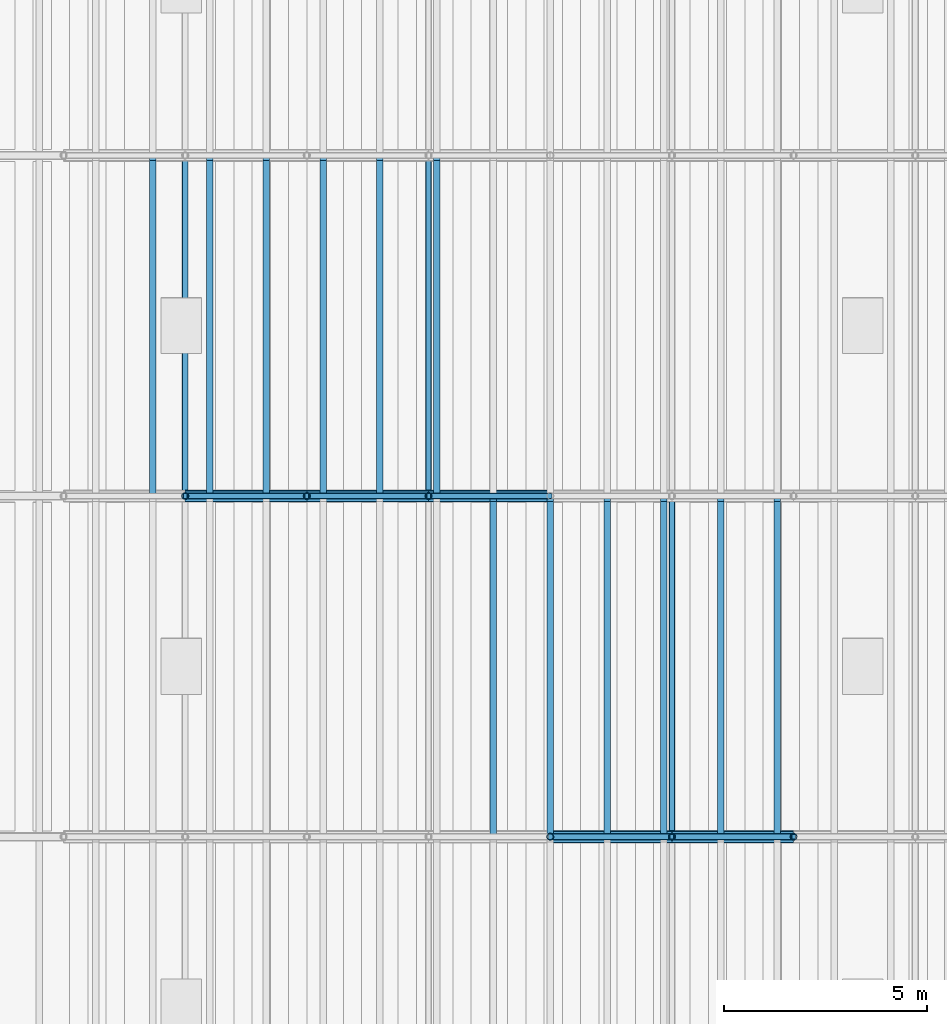
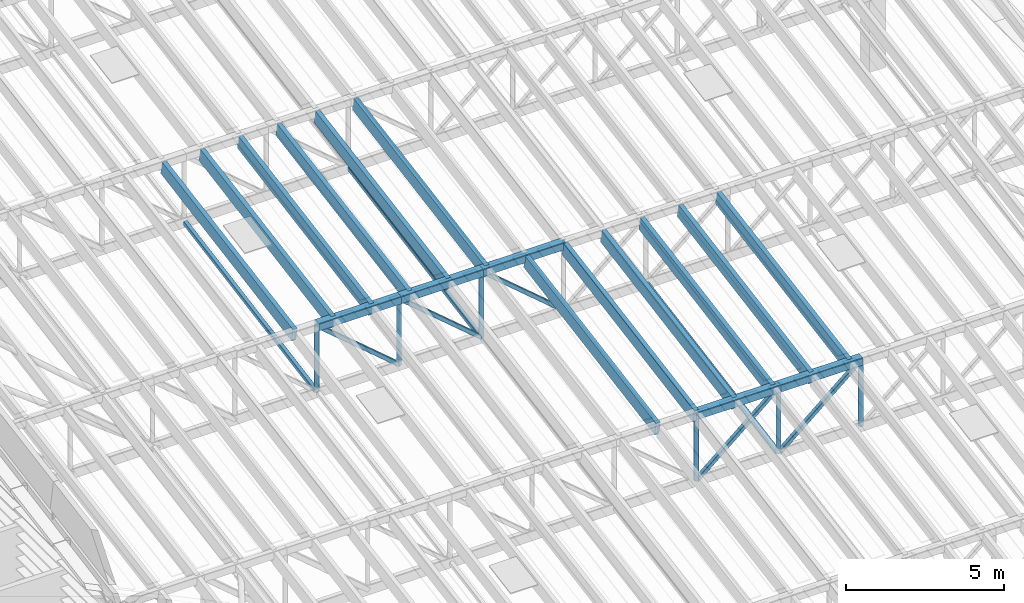
# One storey, part 18 of 91: 31 members.
"""IFC4 building model written with IfcOpenShell, lengths in metres."""

from ifc_helpers import new_model, si_unit, direction, frame, origin, origin_2d, place, context, subcontext, project, spatial, rectangle, hollow_rectangle, hollow_circle, extrude, material, material_profile, profile_set, type_object, element, save


model = new_model("IFC4")

# Units and contexts
model_context = context("Model", 3, precision=1e-05, world=origin(), true_north=direction((0.0, 1.0)))
body_context = subcontext(model_context, "Body", "Model", "MODEL_VIEW")
ifc_project = project(units=[si_unit("LENGTHUNIT", "METRE"), si_unit("AREAUNIT", "SQUARE_METRE"), si_unit("VOLUMEUNIT", "CUBIC_METRE"), si_unit("PLANEANGLEUNIT", "RADIAN"), si_unit("MASSUNIT", "GRAM", prefix="KILO")], contexts=[model_context])

# Site, building, storey
site_placement = place(None, origin())
site = spatial("IfcSite", under=ifc_project, at=site_placement, CompositionType="ELEMENT")
building_placement = place(site_placement, origin())
building = spatial("IfcBuilding", under=site, at=building_placement, Name="Almond Square Museum", CompositionType="ELEMENT")
storey_placement = place(building_placement, frame((0.0, 0.0, 30.0)))
storey = spatial("IfcBuildingStorey", under=building, at=storey_placement, Name="L05", CompositionType="ELEMENT", Elevation=30.0)

# Members
ifc_material_1 = material(Name="Glulam GL28h", Category="wood")
ifc_material_profile_1 = material_profile(ifc_material_1, rectangle(XDim=0.159912109375, YDim=0.5, at=origin_2d()))
ifc_profile_set_1 = profile_set([ifc_material_profile_1], Name="Glulam GL28h")
member_type_1 = type_object("IfcMemberType", Name="Glulam rafter GL28h 160x500", PredefinedType="RAFTER", material=ifc_profile_set_1)
for number, where, z_axis, x_axis, name in (
    (1, (126.39990234375, 67.22998046875, 9.08984375), (0.0, 0.985027509143, 0.172397233827), (-1.0, 0.0, 0.0), "Hall rafter 3.15"),
    (2, (127.800048828125, 67.22998046875, 9.08984375), (0.0, 0.985027509143, 0.172397233827), (-1.0, 0.0, 0.0), "Hall rafter 3.16"),
    (3, (129.199951171875, 67.22998046875, 9.08984375), (0.0, 0.985027509143, 0.172397233827), (-1.0, 0.0, 0.0), "Hall rafter 3.17"),
    (4, (130.60009765625, 67.22998046875, 9.08984375), (0.0, 0.985027509143, 0.172397233827), (-1.0, 0.0, 0.0), "Hall rafter 3.18"),
    (5, (132.0, 67.22998046875, 9.08984375), (0.0, 0.985027509143, 0.172397233827), (-1.0, 0.0, 0.0), "Hall rafter 3.19"),
    (6, (133.39990234375, 67.22998046875, 9.08984375), (0.0, 0.985027509143, 0.172397233827), (-1.0, 0.0, 0.0), "Hall rafter 3.20"),
    (7, (118.0, 75.6298828125, 10.559814453125), (0.0, 0.985027509143, 0.172397233827), (-1.0, 0.0, 0.0), "Hall rafter 4.9"),
    (8, (119.39990234375, 75.6298828125, 10.559814453125), (0.0, 0.985027509143, 0.172397233827), (-1.0, 0.0, 0.0), "Hall rafter 4.10"),
    (9, (120.800048828125, 75.6298828125, 10.559814453125), (0.0, 0.985027509143, 0.172397233827), (-1.0, 0.0, 0.0), "Hall rafter 4.11"),
    (10, (122.199951171875, 75.6298828125, 10.559814453125), (0.0, 0.985027509143, 0.172397233827), (-1.0, 0.0, 0.0), "Hall rafter 4.12"),
    (11, (123.60009765625, 75.6298828125, 10.559814453125), (0.0, 0.985027509143, 0.172397233827), (-1.0, 0.0, 0.0), "Hall rafter 4.13"),
    (12, (125.0, 75.6298828125, 10.559814453125), (0.0, 0.985027509143, 0.172397233827), (-1.0, 0.0, 0.0), "Hall rafter 4.14"),
):
    element("IfcMember", number, at=place(storey_placement, frame(where, z_axis=z_axis, x_axis=x_axis)), inside=storey, type_object=member_type_1, Name=name, PredefinedType="RAFTER", context=body_context, shape_type="SweptSolid", body=[
        extrude(rectangle(XDim=0.159912109375, YDim=0.5, at=origin_2d()), origin(), (0.0, 0.0, 1.0), 8.4091796875),
    ])
ifc_material_2 = material(Name="Structural steel S355", Category="steel")
ifc_material_profile_2 = material_profile(ifc_material_2, hollow_rectangle(XDim=0.300048828125, YDim=0.300048828125, WallThickness=0.012451171875, InnerFilletRadius=0.02490234375, OuterFilletRadius=0.03759765625, at=origin_2d()))
ifc_profile_set_2 = profile_set([ifc_material_profile_2], Name="Structural steel S355")
member_type_2 = type_object("IfcMemberType", Name="Truss chord SHS 300x300x12.5", PredefinedType="CHORD", material=ifc_profile_set_2)
for number, where, z_axis, x_axis, name in (
    (13, (127.800048828125, 67.199951171875, 9.1884765625), (1.0, 0.0, 0.0), (0.0, 1.0, 0.0), "TR-03 top chord 8"),
    (14, (130.800048828125, 67.199951171875, 9.1884765625), (1.0, 0.0, 0.0), (0.0, 1.0, 0.0), "TR-03 top chord 9"),
    (15, (118.800048828125, 75.60009765625, 10.658447265625), (1.0, 0.0, 0.0), (0.0, 1.0, 0.0), "TR-04 top chord 5"),
    (16, (121.800048828125, 75.60009765625, 10.658447265625), (1.0, 0.0, 0.0), (0.0, 1.0, 0.0), "TR-04 top chord 6"),
    (17, (124.800048828125, 75.60009765625, 10.658447265625), (1.0, 0.0, 0.0), (0.0, 1.0, 0.0), "TR-04 top chord 7"),
):
    element("IfcMember", number, at=place(storey_placement, frame(where, z_axis=z_axis, x_axis=x_axis)), inside=storey, type_object=member_type_2, Name=name, PredefinedType="CHORD", context=body_context, shape_type="SweptSolid", body=[
        extrude(hollow_rectangle(XDim=0.300048828125, YDim=0.300048828125, WallThickness=0.012451171875, InnerFilletRadius=0.02490234375, OuterFilletRadius=0.03759765625, at=origin_2d()), origin(), (0.0, 0.0, 1.0), 3.0),
    ])
ifc_material_3 = material(Name="Structural steel S355", Category="steel")
ifc_material_profile_3 = material_profile(ifc_material_3, hollow_rectangle(XDim=0.14990234375, YDim=0.14990234375, WallThickness=0.008056640625, InnerFilletRadius=0.011962890625, OuterFilletRadius=0.02001953125, at=origin_2d()))
ifc_profile_set_3 = profile_set([ifc_material_profile_3], Name="Structural steel S355")
member_type_3 = type_object("IfcMemberType", Name="Truss diagonal SHS 150x150x8", PredefinedType="BRACE", material=ifc_profile_set_3)
for number, where, z_axis, x_axis, name in (
    (18, (127.800048828125, 67.199951171875, 6.639892578125), (0.762116801264, 0.0, 0.647439557975), (0.0, 1.0, 0.0), "TR-03 diagonal 8"),
    (19, (130.800048828125, 67.199951171875, 6.639892578125), (0.762116801264, 0.0, 0.647439557975), (0.0, 1.0, 0.0), "TR-03 diagonal 9"),
):
    element("IfcMember", number, at=place(storey_placement, frame(where, z_axis=z_axis, x_axis=x_axis)), inside=storey, type_object=member_type_3, Name=name, PredefinedType="BRACE", context=body_context, shape_type="SweptSolid", body=[
        extrude(hollow_rectangle(XDim=0.14990234375, YDim=0.14990234375, WallThickness=0.008056640625, InnerFilletRadius=0.011962890625, OuterFilletRadius=0.02001953125, at=origin_2d()), origin(), (0.0, 0.0, 1.0), 3.9365234375),
    ])
for number, where, z_axis, x_axis, name in (
    (20, (118.800048828125, 75.60009765625, 10.658447265625), (0.762147404437, 0.0, -0.647403532513), (0.0, 1.0, 0.0), "TR-04 diagonal 5"),
    (21, (121.800048828125, 75.60009765625, 10.658447265625), (0.762147404437, 0.0, -0.647403532513), (0.0, 1.0, 0.0), "TR-04 diagonal 6"),
    (22, (124.800048828125, 75.60009765625, 10.658447265625), (0.762147404437, 0.0, -0.647403532513), (0.0, 1.0, 0.0), "TR-04 diagonal 7"),
):
    element("IfcMember", number, at=place(storey_placement, frame(where, z_axis=z_axis, x_axis=x_axis)), inside=storey, type_object=member_type_3, Name=name, PredefinedType="BRACE", context=body_context, shape_type="SweptSolid", body=[
        extrude(hollow_rectangle(XDim=0.14990234375, YDim=0.14990234375, WallThickness=0.008056640625, InnerFilletRadius=0.011962890625, OuterFilletRadius=0.02001953125, at=origin_2d()), origin(), (0.0, 0.0, 1.0), 3.936279296875),
    ])
ifc_material_4 = material(Name="Structural steel S355", Category="steel")
ifc_material_profile_4 = material_profile(ifc_material_4, hollow_circle(Radius=0.084228515625, WallThickness=0.008056640625, at=origin_2d()))
ifc_profile_set_4 = profile_set([ifc_material_profile_4], Name="Structural steel S355")
member_type_4 = type_object("IfcMemberType", Name="Truss post CHS 168.3x8", PredefinedType="POST", material=ifc_profile_set_4)
for number, where, z_axis, x_axis, name in (
    (23, (127.800048828125, 67.199951171875, 6.639892578125), (0.0, 0.0, 1.0), (1.0, 0.0, 0.0), "TR-03 post 8"),
    (24, (130.800048828125, 67.199951171875, 6.639892578125), (0.0, 0.0, 1.0), (1.0, 0.0, 0.0), "TR-03 post 9"),
    (25, (133.800048828125, 67.199951171875, 6.639892578125), (0.0, 0.0, 1.0), (1.0, 0.0, 0.0), "TR-03 post 10"),
):
    element("IfcMember", number, at=place(storey_placement, frame(where, z_axis=z_axis, x_axis=x_axis)), inside=storey, type_object=member_type_4, Name=name, PredefinedType="POST", context=body_context, shape_type="SweptSolid", body=[
        extrude(hollow_circle(Radius=0.084228515625, WallThickness=0.008056640625, at=origin_2d()), origin(), (0.0, 0.0, 1.0), 2.548583984375),
    ])
for number, where, z_axis, x_axis, name in (
    (26, (118.800048828125, 75.60009765625, 8.110107421875), (0.0, 0.0, 1.0), (1.0, 0.0, 0.0), "TR-04 post 5"),
    (27, (121.800048828125, 75.60009765625, 8.110107421875), (0.0, 0.0, 1.0), (1.0, 0.0, 0.0), "TR-04 post 6"),
    (28, (124.800048828125, 75.60009765625, 8.110107421875), (0.0, 0.0, 1.0), (1.0, 0.0, 0.0), "TR-04 post 7"),
):
    element("IfcMember", number, at=place(storey_placement, frame(where, z_axis=z_axis, x_axis=x_axis)), inside=storey, type_object=member_type_4, Name=name, PredefinedType="POST", context=body_context, shape_type="SweptSolid", body=[
        extrude(hollow_circle(Radius=0.084228515625, WallThickness=0.008056640625, at=origin_2d()), origin(), (0.0, 0.0, 1.0), 2.54833984375),
    ])
ifc_material_5 = material(Name="Structural steel S355", Category="steel")
ifc_material_profile_5 = material_profile(ifc_material_5, hollow_rectangle(XDim=0.14990234375, YDim=0.14990234375, WallThickness=0.008056640625, InnerFilletRadius=0.011962890625, OuterFilletRadius=0.02001953125, at=origin_2d()))
ifc_profile_set_5 = profile_set([ifc_material_profile_5], Name="Structural steel S355")
member_type_5 = type_object("IfcMemberType", Name="Truss tie SHS 150x150x8", PredefinedType="MEMBER", material=ifc_profile_set_5)
for number, where, z_axis, x_axis, name in (
    (29, (130.800048828125, 67.27490234375, 6.639892578125), (0.0, 0.984489455239, 0.175443758862), (-1.0, 0.0, 0.0), "Hall bay 3 tie 5"),
    (30, (118.800048828125, 75.675048828125, 8.110107421875), (0.0, 0.984494486924, 0.175415521596), (-1.0, 0.0, 0.0), "Hall bay 4 tie 3"),
    (31, (124.800048828125, 75.675048828125, 8.110107421875), (0.0, 0.984494486924, 0.175415521596), (-1.0, 0.0, 0.0), "Hall bay 4 tie 4"),
):
    element("IfcMember", number, at=place(storey_placement, frame(where, z_axis=z_axis, x_axis=x_axis)), inside=storey, type_object=member_type_5, Name=name, PredefinedType="MEMBER", context=body_context, shape_type="SweptSolid", body=[
        extrude(hollow_rectangle(XDim=0.14990234375, YDim=0.14990234375, WallThickness=0.008056640625, InnerFilletRadius=0.011962890625, OuterFilletRadius=0.02001953125, at=origin_2d()), origin(), (0.0, 0.0, 1.0), 8.3798828125),
    ])

save(model, "model.ifc")
